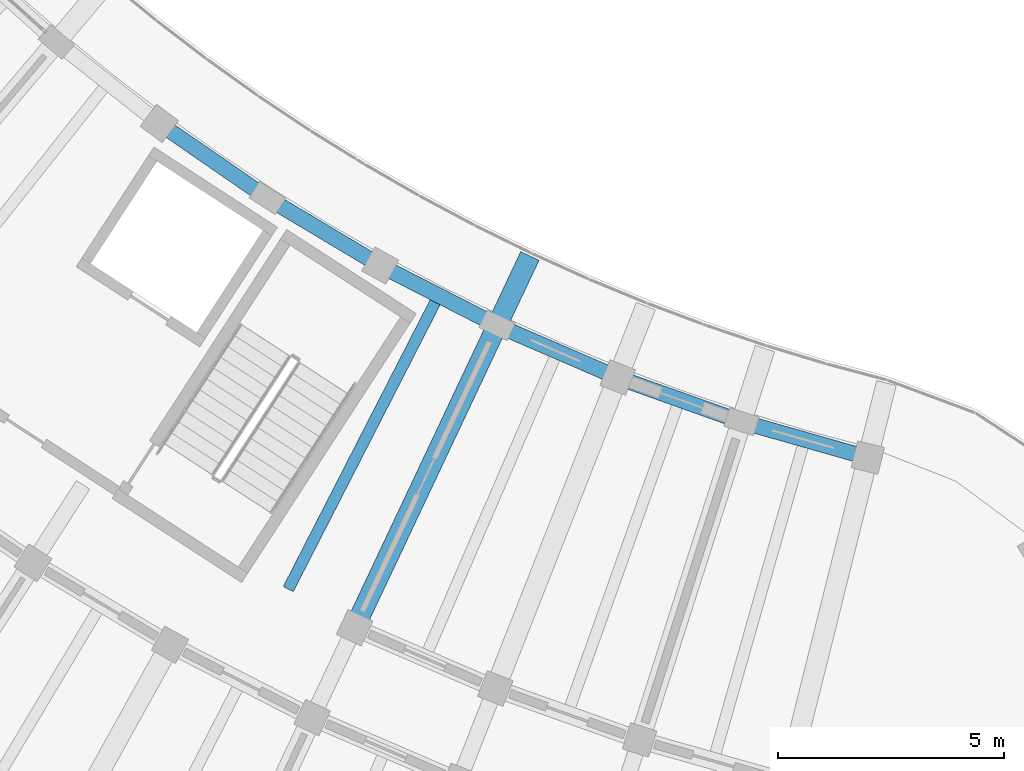
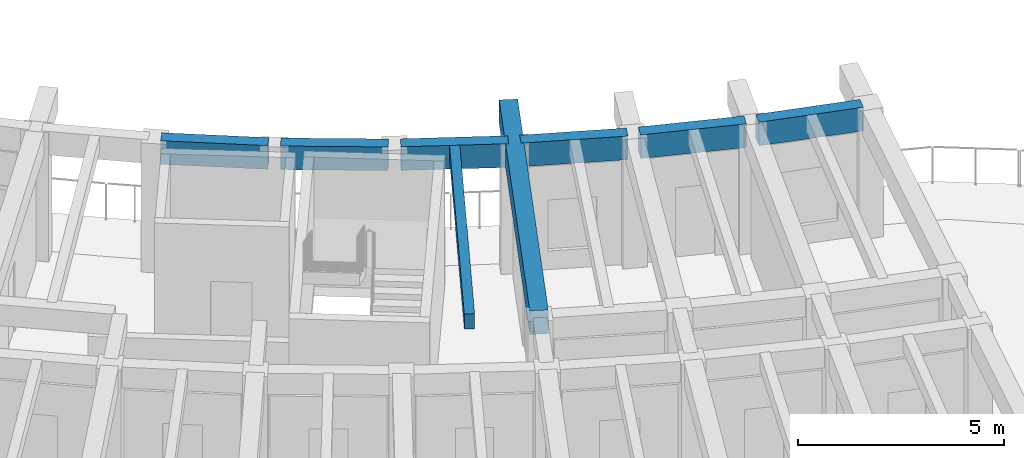
# One storey, part 11 of 128: 8 beams.
"""IFC4 building model written with IfcOpenShell, lengths in metres."""

import ifcopenshell
import ifcopenshell.guid

model = None  # the IFC model being written
_history = None  # IfcOwnerHistory: only IFC2X3 demands one
_inside = {}  # id of a spatial element -> (the spatial element, [elements in it])
_under = {}  # id of a project, library or spatial element -> (it, [spatial elements below it])
_declared = {}  # id of a project -> (the project, [libraries it declares])
_typed = {}  # id of a type object -> (the type object, [elements of that type])
_made_of = {}  # id of a material, layer set ... -> (it, [elements and type objects made of it])


def new_model(schema):
    """Start an empty IFC model of exactly this schema.

    Asked for "IFC4X3", IfcOpenShell would pick the latest addendum, in which some entities
    have other attributes; the version numbers below select the first issue.
    IFC2X3 requires an IfcOwnerHistory on every rooted entity: one is made here for all.
    """
    global model, _history
    if schema == "IFC4X3":
        model = ifcopenshell.file(schema_version=(4, 3, 0, 0))
    else:
        model = ifcopenshell.file(schema=schema)
    _inside.clear()
    _under.clear()
    _declared.clear()
    _typed.clear()
    _made_of.clear()
    _history = None
    if model.schema == "IFC2X3":
        org = make("IfcOrganization", Name="unknown")
        user = make(
            "IfcPersonAndOrganization",
            ThePerson=make("IfcPerson", FamilyName="unknown"),
            TheOrganization=org,
        )
        app = make(
            "IfcApplication",
            ApplicationDeveloper=org,
            Version="unknown",
            ApplicationFullName="unknown",
            ApplicationIdentifier="unknown",
        )
        _history = make(
            "IfcOwnerHistory",
            OwningUser=user,
            OwningApplication=app,
            ChangeAction="ADDED",
            CreationDate=0,
        )
    return model


def make(cls, **values):
    """One entity of the class cls with the attributes given. An attribute that is None is left unset."""
    return model.create_entity(
        cls, **{name: value for name, value in values.items() if value is not None}
    )


def rooted(cls, **values):
    """An entity with a GlobalId (a new one), such as an element, a storey or a relation."""
    return make(cls, GlobalId=ifcopenshell.guid.new(), OwnerHistory=_history, **values)


def si_unit(unit_type, name, prefix=None):
    """IfcSIUnit, for example si_unit("LENGTHUNIT", "METRE", prefix="MILLI")."""
    return make("IfcSIUnit", UnitType=unit_type, Prefix=prefix, Name=name)


def assignment(units):
    """IfcUnitAssignment: the units of a project."""
    return None if units is None else make("IfcUnitAssignment", Units=units)


def point(xyz):
    """IfcCartesianPoint."""
    return None if xyz is None else make("IfcCartesianPoint", Coordinates=xyz)


def direction(xyz):
    """IfcDirection."""
    return None if xyz is None else make("IfcDirection", DirectionRatios=xyz)


def frame(location, z_axis=None, x_axis=None):
    """IfcAxis2Placement3D, a coordinate frame: its origin and axes. An axis left out is left unset."""
    return make(
        "IfcAxis2Placement3D",
        Location=point(location),
        Axis=direction(z_axis),
        RefDirection=direction(x_axis),
    )


def frame_2d(location, x_axis=None):
    """IfcAxis2Placement2D, a coordinate frame in the plane: its origin and x axis."""
    return make(
        "IfcAxis2Placement2D", Location=point(location), RefDirection=direction(x_axis)
    )


def origin():
    """The frame at (0, 0, 0) with its axes left unset."""
    return frame((0.0, 0.0, 0.0))


def origin_2d():
    """The frame at (0, 0) in the plane with its x axis left unset."""
    return frame_2d((0.0, 0.0))


def place(relative_to, where):
    """IfcLocalPlacement: puts the frame where relative to a parent placement (None: the world)."""
    return make(
        "IfcLocalPlacement", PlacementRelTo=relative_to, RelativePlacement=where
    )


def context(
    kind, dimensions, precision=None, world=None, true_north=None, identifier=None
):
    """IfcGeometricRepresentationContext, for example the 3D "Model" context."""
    return make(
        "IfcGeometricRepresentationContext",
        ContextIdentifier=identifier,
        ContextType=kind,
        CoordinateSpaceDimension=dimensions,
        Precision=precision,
        WorldCoordinateSystem=world,
        TrueNorth=true_north,
    )


def subcontext(parent, identifier, kind, view, scale=None):
    """IfcGeometricRepresentationSubContext, for example "Body" below "Model"."""
    return make(
        "IfcGeometricRepresentationSubContext",
        ContextIdentifier=identifier,
        ContextType=kind,
        ParentContext=parent,
        TargetScale=scale,
        TargetView=view,
    )


def project(units=None, contexts=None):
    """IfcProject with its units and contexts."""
    return rooted(
        "IfcProject",
        Name="project",
        RepresentationContexts=contexts,
        UnitsInContext=assignment(units),
    )


def spatial(cls, under=None, at=None, **own):
    """A site, building, storey or space (cls), placed at a placement, below another one or the project."""
    s = rooted(cls, ObjectPlacement=at, **own)
    if under is not None:
        _under.setdefault(under.id(), (under, []))[1].append(s)
    return s


def profile(cls, at=None, kind="AREA", **sizes):
    """A parametric profile (cls). Its sizes go by their IFC names, for example OverallWidth=200.0."""
    return make(cls, ProfileType=kind, Position=at, **sizes)


def rectangle(**sizes):
    """IfcRectangleProfileDef."""
    return profile("IfcRectangleProfileDef", **sizes)


def extrude(swept, where, along, depth):
    """IfcExtrudedAreaSolid: the profile swept, set in the frame where, extruded along a direction by depth."""
    return make(
        "IfcExtrudedAreaSolid",
        SweptArea=swept,
        Position=where,
        ExtrudedDirection=direction(along),
        Depth=depth,
    )


def shape(context_of_items, identifier, shape_type, items):
    """IfcShapeRepresentation: the items that make up one representation, for example the "Body"."""
    return make(
        "IfcShapeRepresentation",
        ContextOfItems=context_of_items,
        RepresentationIdentifier=identifier,
        RepresentationType=shape_type,
        Items=items,
    )


def material(Name=None, Category=None):
    """IfcMaterial."""
    return make("IfcMaterial", Name=Name, Category=Category)


def material_profile(
    of_material, cross_section, Name=None, Category=None, Priority=None
):
    """IfcMaterialProfile: a cross section and its material."""
    return make(
        "IfcMaterialProfile",
        Name=Name,
        Material=of_material,
        Profile=cross_section,
        Priority=Priority,
        Category=Category,
    )


def profile_set(profiles, Name=None, composite=None):
    """IfcMaterialProfileSet."""
    return make(
        "IfcMaterialProfileSet",
        Name=Name,
        MaterialProfiles=profiles,
        CompositeProfile=composite,
    )


def made_of(thing, what):
    """Note that an element or type object is made of a material, layer set ...; save() writes the relation."""
    if what is not None:
        _made_of.setdefault(what.id(), (what, []))[1].append(thing)
    return thing


def type_object(cls, material=None, **own):
    """A type object (cls), such as IfcWallType, which elements share."""
    return made_of(rooted(cls, **own), material)


def element(
    cls,
    number,
    at=None,
    inside=None,
    cuts=None,
    type_object=None,
    material=None,
    context=None,
    identifier="Body",
    shape_type=None,
    held_by="IfcProductDefinitionShape",
    body=None,
    shapes=None,
    **own,
):
    """One element of the class cls, such as IfcWall. Its Tag is "e" and its number.

    at: its placement. inside: the storey or other place that contains it. cuts: it is an
    opening in that element (IfcRelVoidsElement). A single representation is given by context,
    identifier, shape_type and body (its items); several are given by shapes. held_by: the class
    of the entity that holds the representations. save() writes the other relations.
    """
    e = rooted(cls, Tag="e%d" % number, ObjectPlacement=at, **own)
    if body is not None:
        shapes = [shape(context, identifier, shape_type, body)]
    if shapes is not None:
        e.Representation = make(held_by, Representations=shapes)
    if inside is not None:
        _inside.setdefault(inside.id(), (inside, []))[1].append(e)
    if cuts is not None:
        rooted(
            "IfcRelVoidsElement", RelatingBuildingElement=cuts, RelatedOpeningElement=e
        )
    if type_object is not None:
        _typed.setdefault(type_object.id(), (type_object, []))[1].append(e)
    return made_of(e, material)


def aggregate(whole, parts):
    """IfcRelAggregates: a whole, such as a stair, and the parts it consists of."""
    return rooted("IfcRelAggregates", RelatingObject=whole, RelatedObjects=parts)


def save(model, path):
    """Write the relations noted so far, then the file.

    IfcRelAggregates (storeys below a building ...), IfcRelContainedInSpatialStructure (elements
    in a storey), IfcRelDefinesByType, IfcRelAssociatesMaterial and IfcRelDeclares: one each for
    every whole, place, type object, material and project.
    """
    for whole, parts in _under.values():
        aggregate(whole, parts)
    for where, things in _inside.values():
        rooted(
            "IfcRelContainedInSpatialStructure",
            RelatedElements=things,
            RelatingStructure=where,
        )
    for kind, things in _typed.values():
        rooted("IfcRelDefinesByType", RelatedObjects=things, RelatingType=kind)
    for what, things in _made_of.values():
        rooted("IfcRelAssociatesMaterial", RelatedObjects=things, RelatingMaterial=what)
    for by, libraries in _declared.values():
        rooted("IfcRelDeclares", RelatingContext=by, RelatedDefinitions=libraries)
    model.write(path)


model = new_model("IFC4")

# Units and contexts
model_context = context("Model", 3, precision=1e-05, world=origin(), true_north=direction((0.0, 1.0)))
body_context = subcontext(model_context, "Body", "Model", "MODEL_VIEW")
ifc_project = project(units=[si_unit("LENGTHUNIT", "METRE"), si_unit("AREAUNIT", "SQUARE_METRE"), si_unit("VOLUMEUNIT", "CUBIC_METRE"), si_unit("PLANEANGLEUNIT", "RADIAN"), si_unit("MASSUNIT", "GRAM", prefix="KILO")], contexts=[model_context])

# Site, building, storey
site_placement = place(None, origin())
site = spatial("IfcSite", under=ifc_project, at=site_placement, CompositionType="ELEMENT")
building_placement = place(site_placement, origin())
building = spatial("IfcBuilding", under=site, at=building_placement, Name="Tanwirah Colonnade Gardens", CompositionType="ELEMENT")
storey_placement = place(building_placement, frame((0.0, 0.0, 4.760009765625)))
storey = spatial("IfcBuildingStorey", under=building, at=storey_placement, Name="L01", CompositionType="ELEMENT", Elevation=4.760009765625)

# Beams
ifc_material_1 = material(Name="Precast concrete C45/55", Category="concrete")
ifc_material_profile_1 = material_profile(ifc_material_1, rectangle(XDim=0.449951171875, YDim=0.699951171875, at=origin_2d()), Name="PC-BM 450x700")
ifc_profile_set_1 = profile_set([ifc_material_profile_1], Name="Precast concrete C45/55")
beam_type_1 = type_object("IfcBeamType", Name="BM-PC450", PredefinedType="BEAM", material=ifc_profile_set_1)
beam_1_placement = place(storey_placement, frame((42.9462890625, 17.73974609375, 3.47509765625), z_axis=(0.426582468098, 0.904448670689, 0.0), x_axis=(-0.904448670689, 0.426582468098, 0.0)))
element("IfcBeam", 1, at=beam_1_placement, inside=storey, type_object=beam_type_1, Name="Block C L01 Inner Radial Precast Girder 13", PredefinedType="BEAM", context=body_context, shape_type="SweptSolid", body=[
    extrude(rectangle(XDim=0.449951171875, YDim=0.699951171875, at=origin_2d()), origin(), (0.0, 0.0, 1.0), 8.949951171875),
])
ifc_material_2 = material(Name="Precast concrete C40/50", Category="concrete")
ifc_material_profile_2 = material_profile(ifc_material_2, rectangle(XDim=0.25, YDim=0.449951171875, at=origin_2d()), Name="PC-JST 250x450")
ifc_profile_set_2 = profile_set([ifc_material_profile_2], Name="Precast concrete C40/50")
beam_type_2 = type_object("IfcBeamType", Name="JST-PC250", PredefinedType="JOIST", material=ifc_profile_set_2)
beam_2_placement = place(storey_placement, frame((44.678955078125, 24.83203125, 3.60009765625), z_axis=(-0.455921327553, -0.890020080157, 0.0), x_axis=(0.890020080157, -0.455921327553, 0.0)))
element("IfcBeam", 2, at=beam_2_placement, inside=storey, type_object=beam_type_2, Name="Block C L01 Inner Precast Floor Joist 12", PredefinedType="JOIST", context=body_context, shape_type="SweptSolid", body=[
    extrude(rectangle(XDim=0.25, YDim=0.449951171875, at=origin_2d()), origin(), (0.0, 0.0, 1.0), 7.159912109375),
])
ifc_material_profile_3 = material_profile(ifc_material_1, rectangle(XDim=0.340087890625, YDim=0.699951171875, at=origin_2d()), Name="PC-SP 340x700")
ifc_profile_set_3 = profile_set([ifc_material_profile_3], Name="Precast concrete C45/55")
beam_type_3 = type_object("IfcBeamType", Name="SP-PC340", PredefinedType="SPANDREL", material=ifc_profile_set_3)
beam_3_placement = place(storey_placement, frame((38.68359375, 28.683349609375, 3.47509765625), z_axis=(0.822868771031, -0.568231454305, 0.0), x_axis=(0.568231454305, 0.822868771031, 0.0)))
element("IfcBeam", 3, at=beam_3_placement, inside=storey, type_object=beam_type_3, Name="Block C L01 Circumferential Beam 10-R0", PredefinedType="SPANDREL", context=body_context, shape_type="SweptSolid", body=[
    extrude(rectangle(XDim=0.340087890625, YDim=0.699951171875, at=origin_2d()), origin(), (0.0, 0.0, 1.0), 2.60888671875),
])
for number, where, z_axis, x_axis, name in (
    (4, (41.08251953125, 27.038818359375, 3.47509765625), (0.858301131151, -0.513146341958, 0.0), (0.513146341958, 0.858301131151, 0.0), "Block C L01 Circumferential Beam 11-R0"),
    (5, (43.583740234375, 25.5546875, 3.47509765625), (0.890042438658, -0.455877678097, 0.0), (0.455877678097, 0.890042438658, 0.0), "Block C L01 Circumferential Beam 12-R0"),
    (6, (46.1767578125, 24.237548828125, 3.47509765625), (0.917901260915, -0.396808864833, 0.0), (0.396808864833, 0.917901260915, 0.0), "Block C L01 Circumferential Beam 13-R0"),
    (7, (48.850341796875, 23.092529296875, 3.47509765625), (0.941898499992, -0.335897626835, 0.0), (0.335897626835, 0.941898499992, 0.0), "Block C L01 Circumferential Beam 14-R0"),
):
    element("IfcBeam", number, at=place(storey_placement, frame(where, z_axis=z_axis, x_axis=x_axis)), inside=storey, type_object=beam_type_3, Name=name, PredefinedType="SPANDREL", context=body_context, shape_type="SweptSolid", body=[
        extrude(rectangle(XDim=0.340087890625, YDim=0.699951171875, at=origin_2d()), origin(), (0.0, 0.0, 1.0), 2.608642578125),
    ])
beam_4_placement = place(storey_placement, frame((51.593017578125, 22.125, 3.47509765625), z_axis=(0.961858721299, -0.273546705814, 0.0), x_axis=(0.273546705814, 0.961858721299, 0.0)))
element("IfcBeam", 8, at=beam_4_placement, inside=storey, type_object=beam_type_3, Name="Block C L01 Circumferential Beam 15-R0", PredefinedType="SPANDREL", context=body_context, shape_type="SweptSolid", body=[
    extrude(rectangle(XDim=0.340087890625, YDim=0.699951171875, at=origin_2d()), origin(), (0.0, 0.0, 1.0), 2.60888671875),
])

save(model, "model.ifc")
